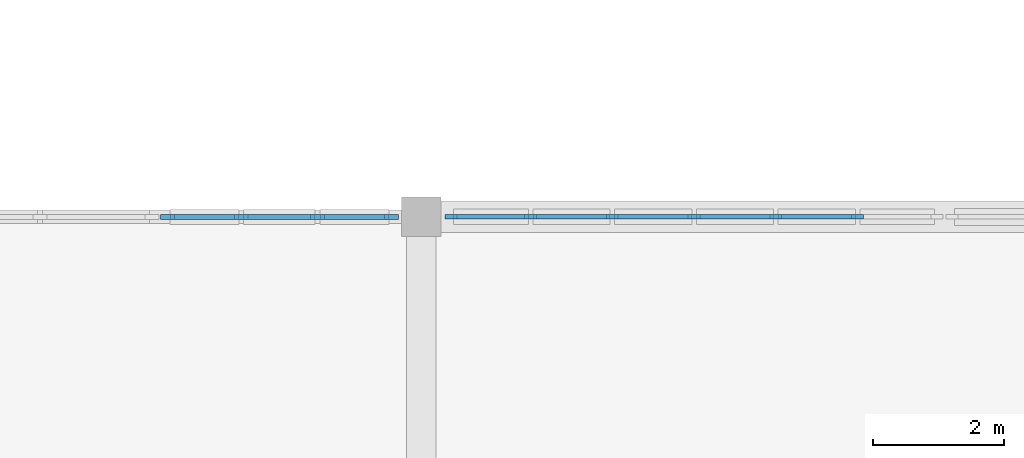
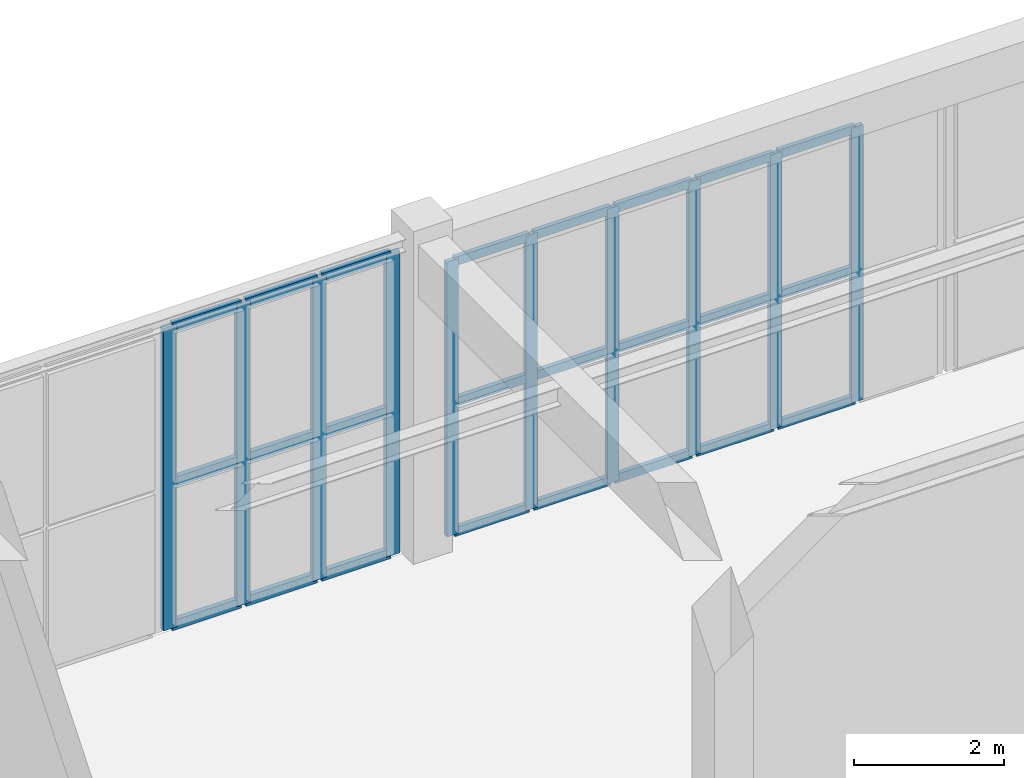
# One storey, part 10 of 64: 34 members, 2 elements without a shape of their own.
"""IFC4 building model written with IfcOpenShell, lengths in metres."""

from ifc_helpers import new_model, si_unit, direction, frame, origin, origin_2d, place, context, subcontext, project, spatial, rectangle, extrude, material, layer, layer_set, material_profile, profile_set, type_object, element, aggregate, save


model = new_model("IFC4")

# Units and contexts
model_context = context("Model", 3, precision=1e-05, world=origin(), true_north=direction((0.0, 1.0)))
body_context = subcontext(model_context, "Body", "Model", "MODEL_VIEW")
ifc_project = project(units=[si_unit("LENGTHUNIT", "METRE"), si_unit("AREAUNIT", "SQUARE_METRE"), si_unit("VOLUMEUNIT", "CUBIC_METRE"), si_unit("PLANEANGLEUNIT", "RADIAN"), si_unit("MASSUNIT", "GRAM", prefix="KILO")], contexts=[model_context])

# Site, building, storey
site_placement = place(None, origin())
site = spatial("IfcSite", under=ifc_project, at=site_placement, CompositionType="ELEMENT")
building_placement = place(site_placement, origin())
building = spatial("IfcBuilding", under=site, at=building_placement, Name="Cinchona Park Media Centre", CompositionType="ELEMENT")
storey_placement = place(building_placement, frame((0.0, 0.0, 10.199951171875)))
storey = spatial("IfcBuildingStorey", under=building, at=storey_placement, Name="L02", CompositionType="ELEMENT", Elevation=10.199951171875)

# Curtain wall, members
ifc_material_1 = material(Name="Aluminium Curtain Wall Framing", Category="aluminium")
ifc_layer_1 = layer(ifc_material_1, 0.195068359375)
ifc_layer_set_1 = layer_set([ifc_layer_1], Name="Aluminium Curtain Wall Framing")
curtain_wall_type_1 = type_object("IfcCurtainWallType", Name="CW-CW02", PredefinedType="USERDEFINED", material=ifc_layer_set_1)
curtain_wall_1_placement = place(storey_placement, origin())
curtain_wall_1 = element("IfcCurtainWall", 1, at=curtain_wall_1_placement, inside=storey, type_object=curtain_wall_type_1, Name="Curtain Wall CW02 L02", ObjectType="UNITISED CURTAIN WALL", PredefinedType="USERDEFINED")
ifc_material_2 = material(Name="Anodised Aluminium Alloy 6063-T6", Category="aluminium")
ifc_material_profile_1 = material_profile(ifc_material_2, rectangle(XDim=0.070068359375, YDim=0.179931640625, at=origin_2d()), Name="MUL-70X180")
ifc_profile_set_1 = profile_set([ifc_material_profile_1], Name="Anodised Aluminium Alloy 6063-T6")
member_type_1 = type_object("IfcMemberType", Name="MULLION-MUL02", PredefinedType="MULLION", material=ifc_profile_set_1)
member_1_placement = place(storey_placement, frame((63.2548828125, 87.60009765625, 0.050048828125), z_axis=(0.0, 0.0, 1.0), x_axis=(0.0, 1.0, 0.0)))
member_1 = element("IfcMember", 2, at=member_1_placement, type_object=member_type_1, Name="CW02 mullion 1", PredefinedType="MULLION", context=body_context, shape_type="SweptSolid", body=[
    extrude(rectangle(XDim=0.070068359375, YDim=0.179931640625, at=origin_2d()), origin(), (0.0, 0.0, 1.0), 4.4599609375),
])
member_2_placement = place(storey_placement, frame((64.469970703125, 87.60009765625, 0.050048828125), z_axis=(0.0, 0.0, 1.0), x_axis=(0.0, 1.0, 0.0)))
member_2 = element("IfcMember", 3, at=member_2_placement, type_object=member_type_1, Name="CW02 mullion 2", PredefinedType="MULLION", context=body_context, shape_type="SweptSolid", body=[
    extrude(rectangle(XDim=0.070068359375, YDim=0.179931640625, at=origin_2d()), origin(), (0.0, 0.0, 1.0), 4.4599609375),
])
member_3_placement = place(storey_placement, frame((65.719970703125, 87.60009765625, 0.050048828125), z_axis=(0.0, 0.0, 1.0), x_axis=(0.0, 1.0, 0.0)))
member_3 = element("IfcMember", 4, at=member_3_placement, type_object=member_type_1, Name="CW02 mullion 3", PredefinedType="MULLION", context=body_context, shape_type="SweptSolid", body=[
    extrude(rectangle(XDim=0.070068359375, YDim=0.179931640625, at=origin_2d()), origin(), (0.0, 0.0, 1.0), 4.4599609375),
])
member_4_placement = place(storey_placement, frame((66.969970703125, 87.60009765625, 0.050048828125), z_axis=(0.0, 0.0, 1.0), x_axis=(0.0, 1.0, 0.0)))
member_4 = element("IfcMember", 5, at=member_4_placement, type_object=member_type_1, Name="CW02 mullion 4", PredefinedType="MULLION", context=body_context, shape_type="SweptSolid", body=[
    extrude(rectangle(XDim=0.070068359375, YDim=0.179931640625, at=origin_2d()), origin(), (0.0, 0.0, 1.0), 4.4599609375),
])
member_5_placement = place(storey_placement, frame((68.219970703125, 87.60009765625, 0.050048828125), z_axis=(0.0, 0.0, 1.0), x_axis=(0.0, 1.0, 0.0)))
member_5 = element("IfcMember", 6, at=member_5_placement, type_object=member_type_1, Name="CW02 mullion 5", PredefinedType="MULLION", context=body_context, shape_type="SweptSolid", body=[
    extrude(rectangle(XDim=0.070068359375, YDim=0.179931640625, at=origin_2d()), origin(), (0.0, 0.0, 1.0), 4.4599609375),
])
member_6_placement = place(storey_placement, frame((69.469970703125, 87.60009765625, 0.050048828125), z_axis=(0.0, 0.0, 1.0), x_axis=(0.0, 1.0, 0.0)))
member_6 = element("IfcMember", 7, at=member_6_placement, type_object=member_type_1, Name="CW02 mullion 6", PredefinedType="MULLION", context=body_context, shape_type="SweptSolid", body=[
    extrude(rectangle(XDim=0.070068359375, YDim=0.179931640625, at=origin_2d()), origin(), (0.0, 0.0, 1.0), 4.4599609375),
])

ifc_material_3 = material(Name="Aluminium Curtain Wall Framing", Category="aluminium")
ifc_layer_2 = layer(ifc_material_3, 0.179931640625)
ifc_layer_set_2 = layer_set([ifc_layer_2], Name="Aluminium Curtain Wall Framing")
curtain_wall_type_2 = type_object("IfcCurtainWallType", Name="CW-CW01", PredefinedType="USERDEFINED", material=ifc_layer_set_2)
curtain_wall_2_placement = place(storey_placement, origin())
curtain_wall_2 = element("IfcCurtainWall", 8, at=curtain_wall_2_placement, inside=storey, type_object=curtain_wall_type_2, Name="Curtain Wall CW01 L02", ObjectType="UNITISED CURTAIN WALL", PredefinedType="USERDEFINED")
ifc_material_4 = material(Name="Anodised Aluminium Alloy 6063-T6", Category="aluminium")
ifc_material_profile_2 = material_profile(ifc_material_4, rectangle(XDim=0.074951171875, YDim=0.2099609375, at=origin_2d()), Name="MUL-75X210")
ifc_profile_set_2 = profile_set([ifc_material_profile_2], Name="Anodised Aluminium Alloy 6063-T6")
member_type_2 = type_object("IfcMemberType", Name="MULLION-MUL03", PredefinedType="MULLION", material=ifc_profile_set_2)
member_7_placement = place(storey_placement, frame((58.91748046875, 87.60009765625, 0.050048828125), z_axis=(0.0, 0.0, 1.0), x_axis=(0.0, 1.0, 0.0)))
member_7 = element("IfcMember", 9, at=member_7_placement, type_object=member_type_2, Name="CW01 mullion 1", PredefinedType="MULLION", context=body_context, shape_type="SweptSolid", body=[
    extrude(rectangle(XDim=0.074951171875, YDim=0.2099609375, at=origin_2d()), origin(), (0.0, 0.0, 1.0), 4.906982421875),
])
member_8_placement = place(storey_placement, frame((60.046630859375, 87.60009765625, 0.050048828125), z_axis=(0.0, 0.0, 1.0), x_axis=(0.0, 1.0, 0.0)))
member_8 = element("IfcMember", 10, at=member_8_placement, type_object=member_type_2, Name="CW01 mullion 2", PredefinedType="MULLION", context=body_context, shape_type="SweptSolid", body=[
    extrude(rectangle(XDim=0.074951171875, YDim=0.2099609375, at=origin_2d()), origin(), (0.0, 0.0, 1.0), 4.906982421875),
])
member_9_placement = place(storey_placement, frame((61.21337890625, 87.60009765625, 0.050048828125), z_axis=(0.0, 0.0, 1.0), x_axis=(0.0, 1.0, 0.0)))
member_9 = element("IfcMember", 11, at=member_9_placement, type_object=member_type_2, Name="CW01 mullion 3", PredefinedType="MULLION", context=body_context, shape_type="SweptSolid", body=[
    extrude(rectangle(XDim=0.074951171875, YDim=0.2099609375, at=origin_2d()), origin(), (0.0, 0.0, 1.0), 4.906982421875),
])
member_10_placement = place(storey_placement, frame((62.342529296875, 87.60009765625, 0.050048828125), z_axis=(0.0, 0.0, 1.0), x_axis=(0.0, 1.0, 0.0)))
member_10 = element("IfcMember", 12, at=member_10_placement, type_object=member_type_2, Name="CW01 mullion 4", PredefinedType="MULLION", context=body_context, shape_type="SweptSolid", body=[
    extrude(rectangle(XDim=0.074951171875, YDim=0.2099609375, at=origin_2d()), origin(), (0.0, 0.0, 1.0), 4.906982421875),
])

# Member
ifc_material_5 = material(Name="Anodised Aluminium Alloy 6063-T6", Category="aluminium")
ifc_material_profile_3 = material_profile(ifc_material_5, rectangle(XDim=0.070068359375, YDim=0.139892578125, at=origin_2d()), Name="TRN-70X140")
ifc_profile_set_3 = profile_set([ifc_material_profile_3], Name="Anodised Aluminium Alloy 6063-T6")
member_type_3 = type_object("IfcMemberType", Name="TRANSOM-TRN02", PredefinedType="USERDEFINED", material=ifc_profile_set_3)
member_11_placement = place(storey_placement, frame((63.2900390625, 87.60009765625, 0.0849609375), z_axis=(1.0, 0.0, 0.0), x_axis=(0.0, 1.0, 0.0)))
member_11 = element("IfcMember", 13, at=member_11_placement, type_object=member_type_3, Name="CW02 transom 1.1", ObjectType="TRANSOM", PredefinedType="USERDEFINED", context=body_context, shape_type="SweptSolid", body=[
    extrude(rectangle(XDim=0.070068359375, YDim=0.139892578125, at=origin_2d()), origin(), (0.0, 0.0, 1.0), 1.14501953125),
])

member_12_placement = place(storey_placement, frame((63.2900390625, 87.60009765625, 2.191162109375), z_axis=(1.0, 0.0, 0.0), x_axis=(0.0, 1.0, 0.0)))
member_12 = element("IfcMember", 14, at=member_12_placement, type_object=member_type_3, Name="CW02 transom 1.2", ObjectType="TRANSOM", PredefinedType="USERDEFINED", context=body_context, shape_type="SweptSolid", body=[
    extrude(rectangle(XDim=0.070068359375, YDim=0.139892578125, at=origin_2d()), origin(), (0.0, 0.0, 1.0), 1.14501953125),
])

member_13_placement = place(storey_placement, frame((63.2900390625, 87.60009765625, 4.47509765625), z_axis=(1.0, 0.0, 0.0), x_axis=(0.0, 1.0, 0.0)))
member_13 = element("IfcMember", 15, at=member_13_placement, type_object=member_type_3, Name="CW02 transom 1.3", ObjectType="TRANSOM", PredefinedType="USERDEFINED", context=body_context, shape_type="SweptSolid", body=[
    extrude(rectangle(XDim=0.070068359375, YDim=0.139892578125, at=origin_2d()), origin(), (0.0, 0.0, 1.0), 1.14501953125),
])

member_14_placement = place(storey_placement, frame((64.5048828125, 87.60009765625, 0.0849609375), z_axis=(1.0, 0.0, 0.0), x_axis=(0.0, 1.0, 0.0)))
member_14 = element("IfcMember", 16, at=member_14_placement, type_object=member_type_3, Name="CW02 transom 2.1", ObjectType="TRANSOM", PredefinedType="USERDEFINED", context=body_context, shape_type="SweptSolid", body=[
    extrude(rectangle(XDim=0.070068359375, YDim=0.139892578125, at=origin_2d()), origin(), (0.0, 0.0, 1.0), 1.18017578125),
])

member_15_placement = place(storey_placement, frame((64.5048828125, 87.60009765625, 2.191162109375), z_axis=(1.0, 0.0, 0.0), x_axis=(0.0, 1.0, 0.0)))
member_15 = element("IfcMember", 17, at=member_15_placement, type_object=member_type_3, Name="CW02 transom 2.2", ObjectType="TRANSOM", PredefinedType="USERDEFINED", context=body_context, shape_type="SweptSolid", body=[
    extrude(rectangle(XDim=0.070068359375, YDim=0.139892578125, at=origin_2d()), origin(), (0.0, 0.0, 1.0), 1.18017578125),
])

member_16_placement = place(storey_placement, frame((64.5048828125, 87.60009765625, 4.47509765625), z_axis=(1.0, 0.0, 0.0), x_axis=(0.0, 1.0, 0.0)))
member_16 = element("IfcMember", 18, at=member_16_placement, type_object=member_type_3, Name="CW02 transom 2.3", ObjectType="TRANSOM", PredefinedType="USERDEFINED", context=body_context, shape_type="SweptSolid", body=[
    extrude(rectangle(XDim=0.070068359375, YDim=0.139892578125, at=origin_2d()), origin(), (0.0, 0.0, 1.0), 1.18017578125),
])

member_17_placement = place(storey_placement, frame((65.7548828125, 87.60009765625, 0.0849609375), z_axis=(1.0, 0.0, 0.0), x_axis=(0.0, 1.0, 0.0)))
member_17 = element("IfcMember", 19, at=member_17_placement, type_object=member_type_3, Name="CW02 transom 3.1", ObjectType="TRANSOM", PredefinedType="USERDEFINED", context=body_context, shape_type="SweptSolid", body=[
    extrude(rectangle(XDim=0.070068359375, YDim=0.139892578125, at=origin_2d()), origin(), (0.0, 0.0, 1.0), 1.18017578125),
])

member_18_placement = place(storey_placement, frame((65.7548828125, 87.60009765625, 2.191162109375), z_axis=(1.0, 0.0, 0.0), x_axis=(0.0, 1.0, 0.0)))
member_18 = element("IfcMember", 20, at=member_18_placement, type_object=member_type_3, Name="CW02 transom 3.2", ObjectType="TRANSOM", PredefinedType="USERDEFINED", context=body_context, shape_type="SweptSolid", body=[
    extrude(rectangle(XDim=0.070068359375, YDim=0.139892578125, at=origin_2d()), origin(), (0.0, 0.0, 1.0), 1.18017578125),
])

member_19_placement = place(storey_placement, frame((65.7548828125, 87.60009765625, 4.47509765625), z_axis=(1.0, 0.0, 0.0), x_axis=(0.0, 1.0, 0.0)))
member_19 = element("IfcMember", 21, at=member_19_placement, type_object=member_type_3, Name="CW02 transom 3.3", ObjectType="TRANSOM", PredefinedType="USERDEFINED", context=body_context, shape_type="SweptSolid", body=[
    extrude(rectangle(XDim=0.070068359375, YDim=0.139892578125, at=origin_2d()), origin(), (0.0, 0.0, 1.0), 1.18017578125),
])

member_20_placement = place(storey_placement, frame((67.0048828125, 87.60009765625, 0.0849609375), z_axis=(1.0, 0.0, 0.0), x_axis=(0.0, 1.0, 0.0)))
member_20 = element("IfcMember", 22, at=member_20_placement, type_object=member_type_3, Name="CW02 transom 4.1", ObjectType="TRANSOM", PredefinedType="USERDEFINED", context=body_context, shape_type="SweptSolid", body=[
    extrude(rectangle(XDim=0.070068359375, YDim=0.139892578125, at=origin_2d()), origin(), (0.0, 0.0, 1.0), 1.18017578125),
])

member_21_placement = place(storey_placement, frame((67.0048828125, 87.60009765625, 2.191162109375), z_axis=(1.0, 0.0, 0.0), x_axis=(0.0, 1.0, 0.0)))
member_21 = element("IfcMember", 23, at=member_21_placement, type_object=member_type_3, Name="CW02 transom 4.2", ObjectType="TRANSOM", PredefinedType="USERDEFINED", context=body_context, shape_type="SweptSolid", body=[
    extrude(rectangle(XDim=0.070068359375, YDim=0.139892578125, at=origin_2d()), origin(), (0.0, 0.0, 1.0), 1.18017578125),
])

member_22_placement = place(storey_placement, frame((67.0048828125, 87.60009765625, 4.47509765625), z_axis=(1.0, 0.0, 0.0), x_axis=(0.0, 1.0, 0.0)))
member_22 = element("IfcMember", 24, at=member_22_placement, type_object=member_type_3, Name="CW02 transom 4.3", ObjectType="TRANSOM", PredefinedType="USERDEFINED", context=body_context, shape_type="SweptSolid", body=[
    extrude(rectangle(XDim=0.070068359375, YDim=0.139892578125, at=origin_2d()), origin(), (0.0, 0.0, 1.0), 1.18017578125),
])

member_23_placement = place(storey_placement, frame((68.2548828125, 87.60009765625, 0.0849609375), z_axis=(1.0, 0.0, 0.0), x_axis=(0.0, 1.0, 0.0)))
member_23 = element("IfcMember", 25, at=member_23_placement, type_object=member_type_3, Name="CW02 transom 5.1", ObjectType="TRANSOM", PredefinedType="USERDEFINED", context=body_context, shape_type="SweptSolid", body=[
    extrude(rectangle(XDim=0.070068359375, YDim=0.139892578125, at=origin_2d()), origin(), (0.0, 0.0, 1.0), 1.18017578125),
])

member_24_placement = place(storey_placement, frame((68.2548828125, 87.60009765625, 2.191162109375), z_axis=(1.0, 0.0, 0.0), x_axis=(0.0, 1.0, 0.0)))
member_24 = element("IfcMember", 26, at=member_24_placement, type_object=member_type_3, Name="CW02 transom 5.2", ObjectType="TRANSOM", PredefinedType="USERDEFINED", context=body_context, shape_type="SweptSolid", body=[
    extrude(rectangle(XDim=0.070068359375, YDim=0.139892578125, at=origin_2d()), origin(), (0.0, 0.0, 1.0), 1.18017578125),
])

member_25_placement = place(storey_placement, frame((68.2548828125, 87.60009765625, 4.47509765625), z_axis=(1.0, 0.0, 0.0), x_axis=(0.0, 1.0, 0.0)))
member_25 = element("IfcMember", 27, at=member_25_placement, type_object=member_type_3, Name="CW02 transom 5.3", ObjectType="TRANSOM", PredefinedType="USERDEFINED", context=body_context, shape_type="SweptSolid", body=[
    extrude(rectangle(XDim=0.070068359375, YDim=0.139892578125, at=origin_2d()), origin(), (0.0, 0.0, 1.0), 1.18017578125),
])

aggregate(curtain_wall_1, [member_1, member_2, member_3, member_4, member_5, member_6, member_11, member_12, member_13, member_14, member_15, member_16, member_17, member_18, member_19, member_20, member_21, member_22, member_23, member_24, member_25])

ifc_material_6 = material(Name="Anodised Aluminium Alloy 6063-T6", Category="aluminium")
ifc_material_profile_4 = material_profile(ifc_material_6, rectangle(XDim=0.074951171875, YDim=0.159912109375, at=origin_2d()), Name="TRN-75X160")
ifc_profile_set_4 = profile_set([ifc_material_profile_4], Name="Anodised Aluminium Alloy 6063-T6")
member_type_4 = type_object("IfcMemberType", Name="TRANSOM-TRN03", PredefinedType="USERDEFINED", material=ifc_profile_set_4)
member_26_placement = place(storey_placement, frame((58.955078125, 87.60009765625, 0.087646484375), z_axis=(1.0, 0.0, 0.0), x_axis=(0.0, 1.0, 0.0)))
member_26 = element("IfcMember", 28, at=member_26_placement, type_object=member_type_4, Name="CW01 transom 1.1", ObjectType="TRANSOM", PredefinedType="USERDEFINED", context=body_context, shape_type="SweptSolid", body=[
    extrude(rectangle(XDim=0.074951171875, YDim=0.159912109375, at=origin_2d()), origin(), (0.0, 0.0, 1.0), 1.05419921875),
])

member_27_placement = place(storey_placement, frame((58.955078125, 87.60009765625, 2.405029296875), z_axis=(1.0, 0.0, 0.0), x_axis=(0.0, 1.0, 0.0)))
member_27 = element("IfcMember", 29, at=member_27_placement, type_object=member_type_4, Name="CW01 transom 1.2", ObjectType="TRANSOM", PredefinedType="USERDEFINED", context=body_context, shape_type="SweptSolid", body=[
    extrude(rectangle(XDim=0.074951171875, YDim=0.159912109375, at=origin_2d()), origin(), (0.0, 0.0, 1.0), 1.05419921875),
])

member_28_placement = place(storey_placement, frame((58.955078125, 87.60009765625, 4.91943359375), z_axis=(1.0, 0.0, 0.0), x_axis=(0.0, 1.0, 0.0)))
member_28 = element("IfcMember", 30, at=member_28_placement, type_object=member_type_4, Name="CW01 transom 1.3", ObjectType="TRANSOM", PredefinedType="USERDEFINED", context=body_context, shape_type="SweptSolid", body=[
    extrude(rectangle(XDim=0.074951171875, YDim=0.159912109375, at=origin_2d()), origin(), (0.0, 0.0, 1.0), 1.05419921875),
])

member_29_placement = place(storey_placement, frame((60.084228515625, 87.60009765625, 0.087646484375), z_axis=(1.0, 0.0, 0.0), x_axis=(0.0, 1.0, 0.0)))
member_29 = element("IfcMember", 31, at=member_29_placement, type_object=member_type_4, Name="CW01 transom 2.1", ObjectType="TRANSOM", PredefinedType="USERDEFINED", context=body_context, shape_type="SweptSolid", body=[
    extrude(rectangle(XDim=0.074951171875, YDim=0.159912109375, at=origin_2d()), origin(), (0.0, 0.0, 1.0), 1.091552734375),
])

member_30_placement = place(storey_placement, frame((60.084228515625, 87.60009765625, 2.405029296875), z_axis=(1.0, 0.0, 0.0), x_axis=(0.0, 1.0, 0.0)))
member_30 = element("IfcMember", 32, at=member_30_placement, type_object=member_type_4, Name="CW01 transom 2.2", ObjectType="TRANSOM", PredefinedType="USERDEFINED", context=body_context, shape_type="SweptSolid", body=[
    extrude(rectangle(XDim=0.074951171875, YDim=0.159912109375, at=origin_2d()), origin(), (0.0, 0.0, 1.0), 1.091552734375),
])

member_31_placement = place(storey_placement, frame((60.084228515625, 87.60009765625, 4.91943359375), z_axis=(1.0, 0.0, 0.0), x_axis=(0.0, 1.0, 0.0)))
member_31 = element("IfcMember", 33, at=member_31_placement, type_object=member_type_4, Name="CW01 transom 2.3", ObjectType="TRANSOM", PredefinedType="USERDEFINED", context=body_context, shape_type="SweptSolid", body=[
    extrude(rectangle(XDim=0.074951171875, YDim=0.159912109375, at=origin_2d()), origin(), (0.0, 0.0, 1.0), 1.091552734375),
])

member_32_placement = place(storey_placement, frame((61.250732421875, 87.60009765625, 0.087646484375), z_axis=(1.0, 0.0, 0.0), x_axis=(0.0, 1.0, 0.0)))
member_32 = element("IfcMember", 34, at=member_32_placement, type_object=member_type_4, Name="CW01 transom 3.1", ObjectType="TRANSOM", PredefinedType="USERDEFINED", context=body_context, shape_type="SweptSolid", body=[
    extrude(rectangle(XDim=0.074951171875, YDim=0.159912109375, at=origin_2d()), origin(), (0.0, 0.0, 1.0), 1.05419921875),
])

member_33_placement = place(storey_placement, frame((61.250732421875, 87.60009765625, 2.405029296875), z_axis=(1.0, 0.0, 0.0), x_axis=(0.0, 1.0, 0.0)))
member_33 = element("IfcMember", 35, at=member_33_placement, type_object=member_type_4, Name="CW01 transom 3.2", ObjectType="TRANSOM", PredefinedType="USERDEFINED", context=body_context, shape_type="SweptSolid", body=[
    extrude(rectangle(XDim=0.074951171875, YDim=0.159912109375, at=origin_2d()), origin(), (0.0, 0.0, 1.0), 1.05419921875),
])

member_34_placement = place(storey_placement, frame((61.250732421875, 87.60009765625, 4.91943359375), z_axis=(1.0, 0.0, 0.0), x_axis=(0.0, 1.0, 0.0)))
member_34 = element("IfcMember", 36, at=member_34_placement, type_object=member_type_4, Name="CW01 transom 3.3", ObjectType="TRANSOM", PredefinedType="USERDEFINED", context=body_context, shape_type="SweptSolid", body=[
    extrude(rectangle(XDim=0.074951171875, YDim=0.159912109375, at=origin_2d()), origin(), (0.0, 0.0, 1.0), 1.05419921875),
])

aggregate(curtain_wall_2, [member_7, member_8, member_9, member_10, member_26, member_27, member_28, member_29, member_30, member_31, member_32, member_33, member_34])

save(model, "model.ifc")
